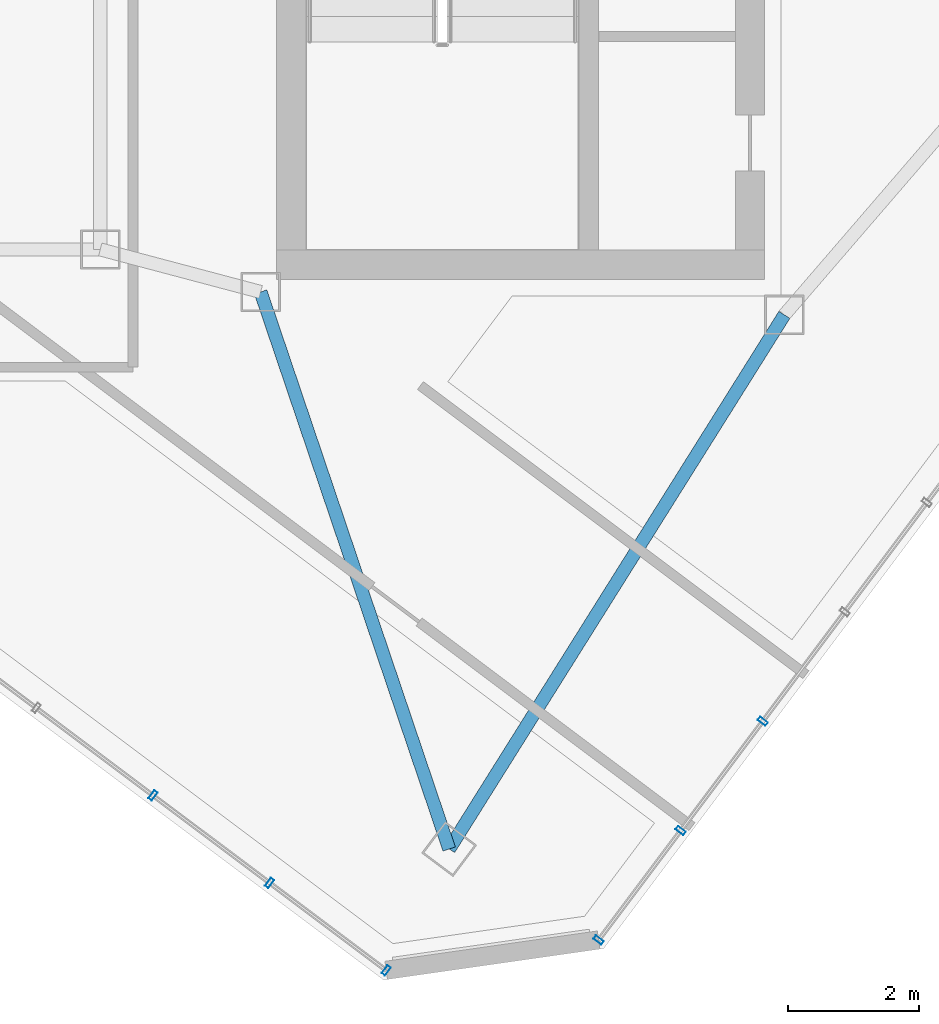
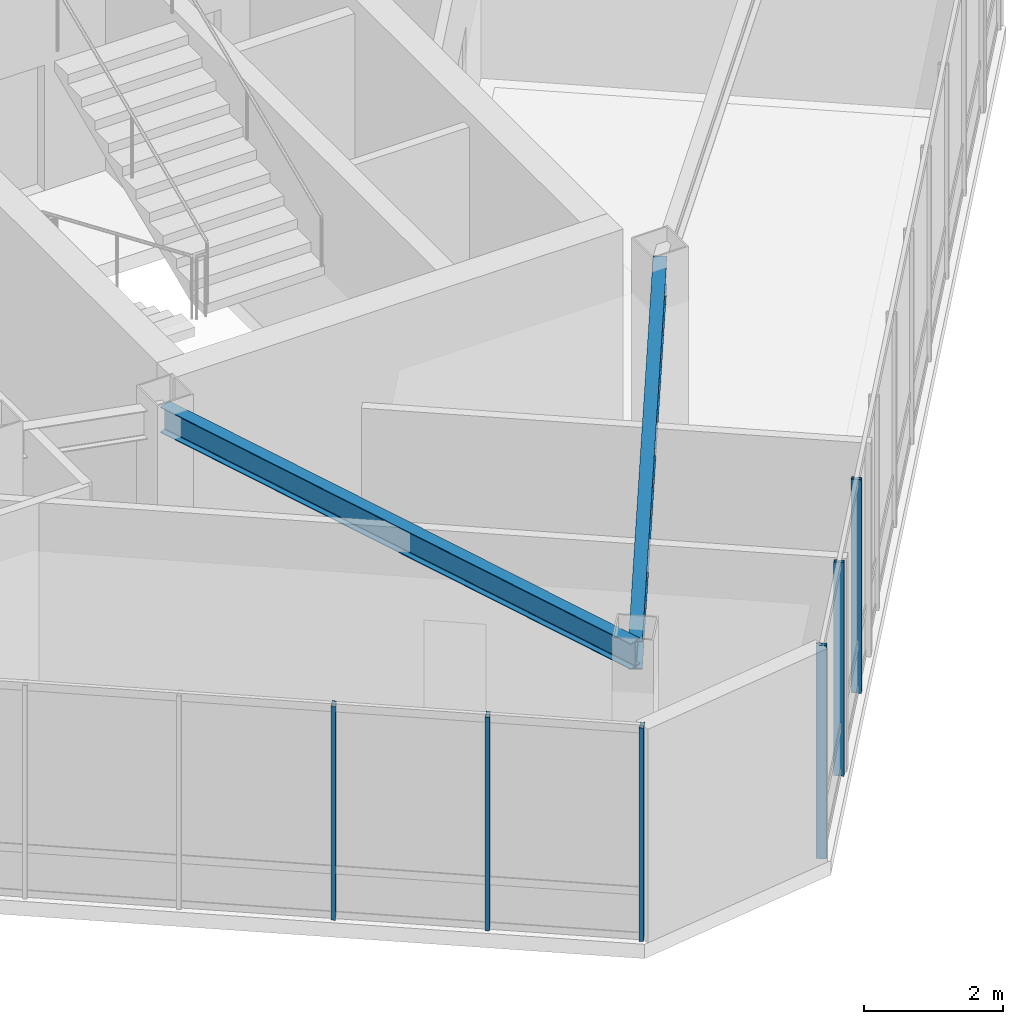
# One storey, part 7 of 31: 6 members, 2 beams, 2 elements without a shape of their own.
"""IFC4 building model written with IfcOpenShell, lengths in metres."""

from ifc_helpers import new_model, si_unit, direction, frame, origin, origin_2d, place, context, subcontext, project, spatial, hollow_rectangle, i_section, extrude, material, layer, layer_set, material_profile, profile_set, type_object, element, aggregate, save


model = new_model("IFC4")

# Units and contexts
model_context = context("Model", 3, precision=1e-05, world=origin(), true_north=direction((0.0, 1.0)))
body_context = subcontext(model_context, "Body", "Model", "MODEL_VIEW")
ifc_project = project(units=[si_unit("LENGTHUNIT", "METRE"), si_unit("AREAUNIT", "SQUARE_METRE"), si_unit("VOLUMEUNIT", "CUBIC_METRE"), si_unit("PLANEANGLEUNIT", "RADIAN"), si_unit("MASSUNIT", "GRAM", prefix="KILO")], contexts=[model_context])

# Site, building, storey
site_placement = place(None, origin())
site = spatial("IfcSite", under=ifc_project, at=site_placement, CompositionType="ELEMENT")
building_placement = place(site_placement, origin())
building = spatial("IfcBuilding", under=site, at=building_placement, Name="Hatsunagi Terrace Concourse", CompositionType="ELEMENT")
storey_placement = place(building_placement, frame((0.0, 0.0, 269.949951171875)))
storey = spatial("IfcBuildingStorey", under=building, at=storey_placement, Name="L71", CompositionType="ELEMENT", Elevation=269.949951171875)

# Beam
ifc_material_1 = material(Name="Steel SN490B", Category="steel")
ifc_material_profile_1 = material_profile(ifc_material_1, i_section(OverallWidth=0.199951171875, OverallDepth=0.5, WebThickness=0.010009765625, FlangeThickness=0.01611328125, FilletRadius=0.01611328125, at=origin_2d()), Name="H-500x200x10x16")
ifc_profile_set_1 = profile_set([ifc_material_profile_1], Name="Steel SN490B")
beam_type_1 = type_object("IfcBeamType", Name="CrownFloorGirder_H_500x200", PredefinedType="BEAM", material=ifc_profile_set_1)
beam_1_placement = place(storey_placement, frame((38.679931640625, 16.0400390625, 3.5), z_axis=(0.531503907049, 0.847055840421, 0.0), x_axis=(-0.847055840421, 0.531503907049, 0.0)))
element("IfcBeam", 1, at=beam_1_placement, inside=storey, type_object=beam_type_1, Name="Beam G-07 BM-L71-SET-1A", PredefinedType="BEAM", context=body_context, shape_type="SweptSolid", body=[
    extrude(i_section(OverallWidth=0.199951171875, OverallDepth=0.5, WebThickness=0.010009765625, FlangeThickness=0.01611328125, FilletRadius=0.01611328125, at=origin_2d()), origin(), (0.0, 0.0, 1.0), 9.63330078125),
])

# Curtain wall, members
ifc_material_2 = material(Name="Anodised Aluminium Alloy 6063-T5", Category="aluminium")
ifc_layer = layer(ifc_material_2, 0.199951171875)
ifc_layer_set = layer_set([ifc_layer], Name="CrownWintergarden_CW06")
curtain_wall_type = type_object("IfcCurtainWallType", Name="CrownWintergarden_CW06", PredefinedType="NOTDEFINED", material=ifc_layer_set)
curtain_wall_1_placement = place(storey_placement, origin())
curtain_wall_1 = element("IfcCurtainWall", 2, at=curtain_wall_1_placement, inside=storey, type_object=curtain_wall_type, Name="Unitised Curtain Wall CW-06 CW-L71-03", PredefinedType="NOTDEFINED")
ifc_material_3 = material(Name="Anodised Aluminium Alloy 6063-T5", Category="aluminium")
ifc_material_profile_2 = material_profile(ifc_material_3, hollow_rectangle(XDim=0.06494140625, YDim=0.14990234375, WallThickness=0.00390625, at=origin_2d()), Name="ALU-MUL-150x65x4")
ifc_profile_set_2 = profile_set([ifc_material_profile_2], Name="Anodised Aluminium Alloy 6063-T5")
member_type = type_object("IfcMemberType", Name="CurtainWallMullion_Crown_150x65", PredefinedType="MULLION", material=ifc_profile_set_2)
member_1_placement = place(storey_placement, frame((43.468994140625, 17.991943359375, 0.0), z_axis=(0.0, 0.0, 1.0), x_axis=(-0.599969314634, -0.800023013105, 0.0)))
member_1 = element("IfcMember", 3, at=member_1_placement, type_object=member_type, Name="Curtain Wall Mullion MUL-03", PredefinedType="MULLION", context=body_context, shape_type="SweptSolid", body=[
    extrude(hollow_rectangle(XDim=0.06494140625, YDim=0.14990234375, WallThickness=0.00390625, at=origin_2d()), origin(), (0.0, 0.0, 1.0), 3.739990234375),
])
member_2_placement = place(storey_placement, frame((42.216064453125, 16.321044921875, 0.0), z_axis=(0.0, 0.0, 1.0), x_axis=(-0.599969314634, -0.800023013105, 0.0)))
member_2 = element("IfcMember", 4, at=member_2_placement, type_object=member_type, Name="Curtain Wall Mullion MUL-03", PredefinedType="MULLION", context=body_context, shape_type="SweptSolid", body=[
    extrude(hollow_rectangle(XDim=0.06494140625, YDim=0.14990234375, WallThickness=0.00390625, at=origin_2d()), origin(), (0.0, 0.0, 1.0), 3.739990234375),
])
member_3_placement = place(storey_placement, frame((40.962890625, 14.64990234375, 0.0), z_axis=(0.0, 0.0, 1.0), x_axis=(-0.599969314634, -0.800023013105, 0.0)))
member_3 = element("IfcMember", 5, at=member_3_placement, type_object=member_type, Name="Curtain Wall Mullion MUL-03", PredefinedType="MULLION", context=body_context, shape_type="SweptSolid", body=[
    extrude(hollow_rectangle(XDim=0.06494140625, YDim=0.14990234375, WallThickness=0.00390625, at=origin_2d()), origin(), (0.0, 0.0, 1.0), 3.739990234375),
])
aggregate(curtain_wall_1, [member_1, member_2, member_3])

curtain_wall_2_placement = place(storey_placement, origin())
curtain_wall_2 = element("IfcCurtainWall", 6, at=curtain_wall_2_placement, inside=storey, type_object=curtain_wall_type, Name="Unitised Curtain Wall CW-06 CW-L71-05", PredefinedType="NOTDEFINED")
member_4_placement = place(storey_placement, frame((37.718017578125, 14.18701171875, 0.0), z_axis=(0.0, 0.0, 1.0), x_axis=(-0.800007305671, 0.599990258982, 0.0)))
member_4 = element("IfcMember", 7, at=member_4_placement, type_object=member_type, Name="Curtain Wall Mullion MUL-03", PredefinedType="MULLION", context=body_context, shape_type="SweptSolid", body=[
    extrude(hollow_rectangle(XDim=0.06494140625, YDim=0.14990234375, WallThickness=0.00390625, at=origin_2d()), origin(), (0.0, 0.0, 1.0), 3.739990234375),
])
member_5_placement = place(storey_placement, frame((35.93603515625, 15.52294921875, 0.0), z_axis=(0.0, 0.0, 1.0), x_axis=(-0.800007305671, 0.599990258982, 0.0)))
member_5 = element("IfcMember", 8, at=member_5_placement, type_object=member_type, Name="Curtain Wall Mullion MUL-03", PredefinedType="MULLION", context=body_context, shape_type="SweptSolid", body=[
    extrude(hollow_rectangle(XDim=0.06494140625, YDim=0.14990234375, WallThickness=0.00390625, at=origin_2d()), origin(), (0.0, 0.0, 1.0), 3.739990234375),
])
member_6_placement = place(storey_placement, frame((34.155029296875, 16.85888671875, 0.0), z_axis=(0.0, 0.0, 1.0), x_axis=(-0.800007305671, 0.599990258982, 0.0)))
member_6 = element("IfcMember", 9, at=member_6_placement, type_object=member_type, Name="Curtain Wall Mullion MUL-03", PredefinedType="MULLION", context=body_context, shape_type="SweptSolid", body=[
    extrude(hollow_rectangle(XDim=0.06494140625, YDim=0.14990234375, WallThickness=0.00390625, at=origin_2d()), origin(), (0.0, 0.0, 1.0), 3.739990234375),
])
aggregate(curtain_wall_2, [member_4, member_5, member_6])

# Beam
ifc_material_4 = material(Name="Steel SN490B", Category="steel")
ifc_material_profile_3 = material_profile(ifc_material_4, i_section(OverallWidth=0.199951171875, OverallDepth=0.449951171875, WebThickness=0.009033203125, FlangeThickness=0.013916015625, FilletRadius=0.01611328125, at=origin_2d()), Name="H-450x200x9x14")
ifc_profile_set_3 = profile_set([ifc_material_profile_3], Name="Steel SN490B")
beam_type_2 = type_object("IfcBeamType", Name="PerimeterSpandrel_H_450x200", PredefinedType="SPANDREL", material=ifc_profile_set_3)
beam_2_placement = place(storey_placement, frame((35.800048828125, 24.550048828125, 3.525146484375), z_axis=(0.320553412271, -0.947230441805, 0.0), x_axis=(0.947230441805, 0.320553412271, 0.0)))
element("IfcBeam", 10, at=beam_2_placement, inside=storey, type_object=beam_type_2, Name="Beam SP-02 BM-L71-SE-SW0", PredefinedType="SPANDREL", context=body_context, shape_type="SweptSolid", body=[
    extrude(i_section(OverallWidth=0.199951171875, OverallDepth=0.449951171875, WebThickness=0.009033203125, FlangeThickness=0.013916015625, FilletRadius=0.01611328125, at=origin_2d()), origin(), (0.0, 0.0, 1.0), 8.984130859375),
])

save(model, "model.ifc")
